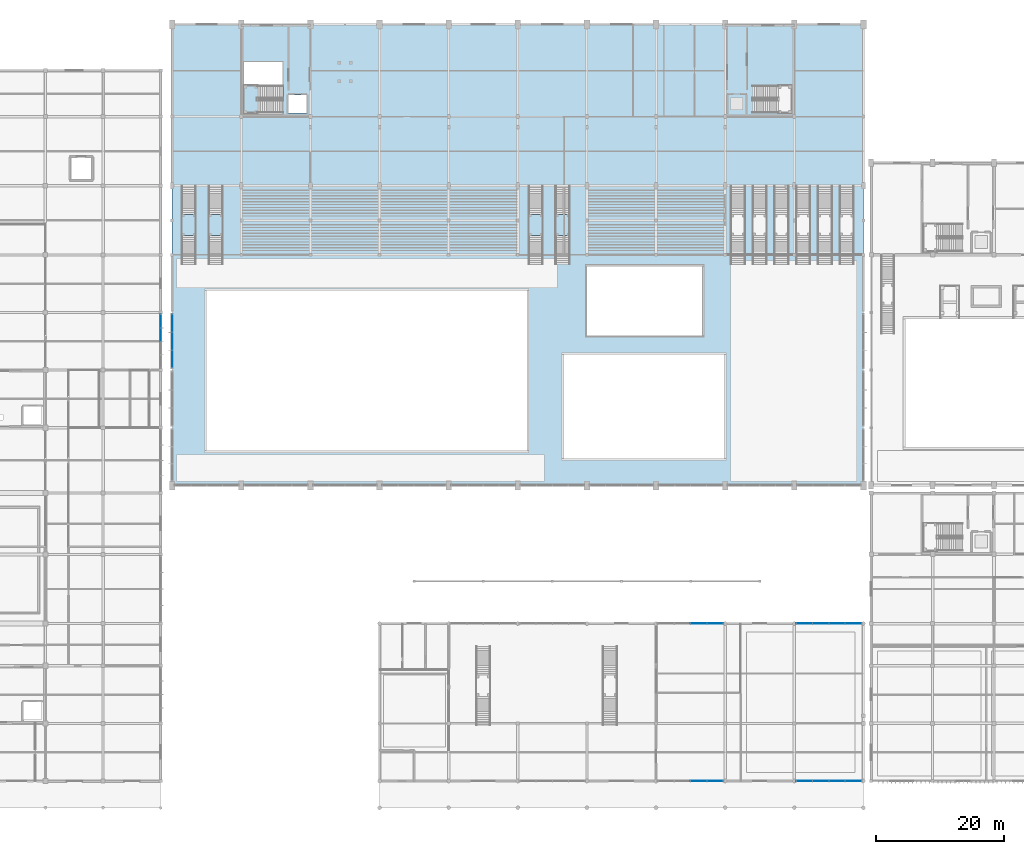
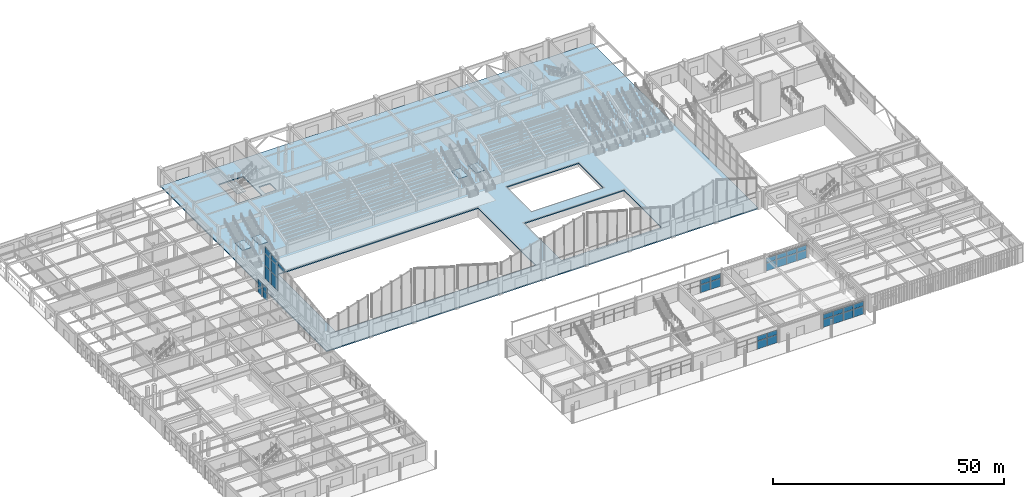
# One storey, part 43 of 82: 35 plates, 6 slabs, 11 elements without a shape of their own.
"""IFC4 building model written with IfcOpenShell, lengths in metres."""

from ifc_helpers import new_model, si_unit, direction, frame, origin, place, context, subcontext, project, spatial, polyline, outline, extrude, material, layer, layer_set, type_object, element, aggregate, save


model = new_model("IFC4")

# Units and contexts
model_context = context("Model", 3, precision=1e-05, world=origin(), true_north=direction((0.0, 1.0)))
body_context = subcontext(model_context, "Body", "Model", "MODEL_VIEW")
ifc_project = project(units=[si_unit("LENGTHUNIT", "METRE"), si_unit("AREAUNIT", "SQUARE_METRE"), si_unit("VOLUMEUNIT", "CUBIC_METRE"), si_unit("PLANEANGLEUNIT", "RADIAN"), si_unit("MASSUNIT", "GRAM", prefix="KILO")], contexts=[model_context])

# Site, building, storey
site_placement = place(None, origin())
site = spatial("IfcSite", under=ifc_project, at=site_placement, CompositionType="ELEMENT")
building_placement = place(site_placement, origin())
building = spatial("IfcBuilding", under=site, at=building_placement, Name="Suirenkawa Promenade Aquatics Centre", CompositionType="ELEMENT")
storey_placement = place(building_placement, origin())
storey = spatial("IfcBuildingStorey", under=building, at=storey_placement, Name="L00", CompositionType="ELEMENT", Elevation=0.0)

# Curtain wall, plates
ifc_material_1 = material(Name="Anodised aluminium 6063-T6", Category="aluminium")
curtain_wall_type_1 = type_object("IfcCurtainWallType", Name="CWAT-V3SL0-27", PredefinedType="NOTDEFINED", material=ifc_material_1)
curtain_wall_1_placement = place(storey_placement, origin())
curtain_wall_1 = element("IfcCurtainWall", 1, at=curtain_wall_1_placement, inside=storey, type_object=curtain_wall_type_1, Name="Curtain wall CWA-27 CW-067", PredefinedType="NOTDEFINED")
ifc_material_2 = material(Name="Low-E thermally broken double glazing", Category="glass")
ifc_layer_1 = layer(ifc_material_2, 0.0419921875, Name="Low-E thermally broken double glazing", Category="glass")
ifc_layer_set_1 = layer_set([ifc_layer_1], Name="Low-E thermally broken double glazing")
plate_type_1 = type_object("IfcPlateType", Name="CWP-FOYER-42", PredefinedType="CURTAIN_PANEL", material=ifc_layer_set_1)
plate_1_placement = place(storey_placement, frame((132.90087890625, 4.199951171875, 0.0400390625), z_axis=(0.0, 0.0, 1.0), x_axis=(-1.0, 0.0, 0.0)))
plate_1 = element("IfcPlate", 2, at=plate_1_placement, type_object=plate_type_1, Name="Glazed panel CP-04 CWP-01357", PredefinedType="CURTAIN_PANEL", context=body_context, shape_type="SweptSolid", body=[
    extrude(outline(polyline([(0.0400390625, 0.0), (2.510498046875, 0.0), (2.510498046875, 2.119873046875), (0.0400390625, 2.119873046875), (0.0400390625, 0.0)])), frame((0.0, 0.02099609375, 0.0), z_axis=(0.0, -1.0, 0.0), x_axis=(1.0, 0.0, 0.0)), (0.0, 0.0, 1.0), 0.0419921875),
])
plate_2_placement = place(storey_placement, frame((132.90087890625, 4.199951171875, 2.239990234375), z_axis=(0.0, 0.0, 1.0), x_axis=(-1.0, 0.0, 0.0)))
plate_2 = element("IfcPlate", 3, at=plate_2_placement, type_object=plate_type_1, Name="Top glazed panel CP-04 CWP-01358", PredefinedType="CURTAIN_PANEL", context=body_context, shape_type="SweptSolid", body=[
    extrude(outline(polyline([(0.0400390625, 0.0), (2.510498046875, 0.0), (2.510498046875, 1.239990234375), (0.0400390625, 1.239990234375), (0.0400390625, 0.0)])), frame((0.0, 0.02099609375, 0.0), z_axis=(0.0, -1.0, 0.0), x_axis=(1.0, 0.0, 0.0)), (0.0, 0.0, 1.0), 0.0419921875),
])
plate_3_placement = place(storey_placement, frame((130.3505859375, 4.199951171875, 0.0400390625), z_axis=(0.0, 0.0, 1.0), x_axis=(-1.0, 0.0, 0.0)))
plate_3 = element("IfcPlate", 4, at=plate_3_placement, type_object=plate_type_1, Name="Glazed panel CP-04 CWP-01359", PredefinedType="CURTAIN_PANEL", context=body_context, shape_type="SweptSolid", body=[
    extrude(outline(polyline([(0.0400390625, 0.0), (2.510498046875, 0.0), (2.510498046875, 2.119873046875), (0.0400390625, 2.119873046875), (0.0400390625, 0.0)])), frame((0.0, 0.02099609375, 0.0), z_axis=(0.0, -1.0, 0.0), x_axis=(1.0, 0.0, 0.0)), (0.0, 0.0, 1.0), 0.0419921875),
])
plate_4_placement = place(storey_placement, frame((130.3505859375, 4.199951171875, 2.239990234375), z_axis=(0.0, 0.0, 1.0), x_axis=(-1.0, 0.0, 0.0)))
plate_4 = element("IfcPlate", 5, at=plate_4_placement, type_object=plate_type_1, Name="Top glazed panel CP-04 CWP-01360", PredefinedType="CURTAIN_PANEL", context=body_context, shape_type="SweptSolid", body=[
    extrude(outline(polyline([(0.0400390625, 0.0), (2.510498046875, 0.0), (2.510498046875, 1.239990234375), (0.0400390625, 1.239990234375), (0.0400390625, 0.0)])), frame((0.0, 0.02099609375, 0.0), z_axis=(0.0, -1.0, 0.0), x_axis=(1.0, 0.0, 0.0)), (0.0, 0.0, 1.0), 0.0419921875),
])
aggregate(curtain_wall_1, [plate_1, plate_2, plate_3, plate_4])

curtain_wall_type_2 = type_object("IfcCurtainWallType", Name="CWAT-V3NL0-26", PredefinedType="NOTDEFINED", material=ifc_material_1)
curtain_wall_2_placement = place(storey_placement, origin())
curtain_wall_2 = element("IfcCurtainWall", 6, at=curtain_wall_2_placement, inside=storey, type_object=curtain_wall_type_2, Name="Curtain wall CWA-26 CW-068", PredefinedType="NOTDEFINED")
plate_5_placement = place(storey_placement, frame((127.800048828125, 28.800048828125, 0.0400390625), z_axis=(0.0, 0.0, 1.0), x_axis=(1.0, 0.0, 0.0)))
plate_5 = element("IfcPlate", 7, at=plate_5_placement, type_object=plate_type_1, Name="Glazed panel CP-04 CWP-01383", PredefinedType="CURTAIN_PANEL", context=body_context, shape_type="SweptSolid", body=[
    extrude(outline(polyline([(0.0400390625, 0.0), (2.510498046875, 0.0), (2.510498046875, 2.119873046875), (0.0400390625, 2.119873046875), (0.0400390625, 0.0)])), frame((0.0, 0.02099609375, 0.0), z_axis=(0.0, -1.0, 0.0), x_axis=(1.0, 0.0, 0.0)), (0.0, 0.0, 1.0), 0.0419921875),
])
plate_6_placement = place(storey_placement, frame((127.800048828125, 28.800048828125, 2.239990234375), z_axis=(0.0, 0.0, 1.0), x_axis=(1.0, 0.0, 0.0)))
plate_6 = element("IfcPlate", 8, at=plate_6_placement, type_object=plate_type_1, Name="Top glazed panel CP-04 CWP-01384", PredefinedType="CURTAIN_PANEL", context=body_context, shape_type="SweptSolid", body=[
    extrude(outline(polyline([(0.0400390625, 0.0), (2.510498046875, 0.0), (2.510498046875, 1.239990234375), (0.0400390625, 1.239990234375), (0.0400390625, 0.0)])), frame((0.0, 0.02099609375, 0.0), z_axis=(0.0, -1.0, 0.0), x_axis=(1.0, 0.0, 0.0)), (0.0, 0.0, 1.0), 0.0419921875),
])
plate_7_placement = place(storey_placement, frame((130.3505859375, 28.800048828125, 0.0400390625), z_axis=(0.0, 0.0, 1.0), x_axis=(1.0, 0.0, 0.0)))
plate_7 = element("IfcPlate", 9, at=plate_7_placement, type_object=plate_type_1, Name="Glazed panel CP-04 CWP-01385", PredefinedType="CURTAIN_PANEL", context=body_context, shape_type="SweptSolid", body=[
    extrude(outline(polyline([(0.0400390625, 0.0), (2.510498046875, 0.0), (2.510498046875, 2.119873046875), (0.0400390625, 2.119873046875), (0.0400390625, 0.0)])), frame((0.0, 0.02099609375, 0.0), z_axis=(0.0, -1.0, 0.0), x_axis=(1.0, 0.0, 0.0)), (0.0, 0.0, 1.0), 0.0419921875),
])
plate_8_placement = place(storey_placement, frame((130.3505859375, 28.800048828125, 2.239990234375), z_axis=(0.0, 0.0, 1.0), x_axis=(1.0, 0.0, 0.0)))
plate_8 = element("IfcPlate", 10, at=plate_8_placement, type_object=plate_type_1, Name="Top glazed panel CP-04 CWP-01386", PredefinedType="CURTAIN_PANEL", context=body_context, shape_type="SweptSolid", body=[
    extrude(outline(polyline([(0.0400390625, 0.0), (2.510498046875, 0.0), (2.510498046875, 1.239990234375), (0.0400390625, 1.239990234375), (0.0400390625, 0.0)])), frame((0.0, 0.02099609375, 0.0), z_axis=(0.0, -1.0, 0.0), x_axis=(1.0, 0.0, 0.0)), (0.0, 0.0, 1.0), 0.0419921875),
])
aggregate(curtain_wall_2, [plate_5, plate_6, plate_7, plate_8])

curtain_wall_3_placement = place(storey_placement, origin())
curtain_wall_3 = element("IfcCurtainWall", 11, at=curtain_wall_3_placement, inside=storey, type_object=curtain_wall_type_1, Name="Curtain wall CWA-27 CW-069", PredefinedType="NOTDEFINED")
plate_9_placement = place(storey_placement, frame((154.5009765625, 4.199951171875, 0.0400390625), z_axis=(0.0, 0.0, 1.0), x_axis=(-1.0, 0.0, 0.0)))
plate_9 = element("IfcPlate", 12, at=plate_9_placement, type_object=plate_type_1, Name="Glazed panel CP-04 CWP-01401", PredefinedType="CURTAIN_PANEL", context=body_context, shape_type="SweptSolid", body=[
    extrude(outline(polyline([(0.0400390625, 0.0), (2.510498046875, 0.0), (2.510498046875, 2.119873046875), (0.0400390625, 2.119873046875), (0.0400390625, 0.0)])), frame((0.0, 0.02099609375, 0.0), z_axis=(0.0, -1.0, 0.0), x_axis=(1.0, 0.0, 0.0)), (0.0, 0.0, 1.0), 0.0419921875),
])
plate_10_placement = place(storey_placement, frame((154.5009765625, 4.199951171875, 2.239990234375), z_axis=(0.0, 0.0, 1.0), x_axis=(-1.0, 0.0, 0.0)))
plate_10 = element("IfcPlate", 13, at=plate_10_placement, type_object=plate_type_1, Name="Top glazed panel CP-04 CWP-01402", PredefinedType="CURTAIN_PANEL", context=body_context, shape_type="SweptSolid", body=[
    extrude(outline(polyline([(0.0400390625, 0.0), (2.510498046875, 0.0), (2.510498046875, 1.239990234375), (0.0400390625, 1.239990234375), (0.0400390625, 0.0)])), frame((0.0, 0.02099609375, 0.0), z_axis=(0.0, -1.0, 0.0), x_axis=(1.0, 0.0, 0.0)), (0.0, 0.0, 1.0), 0.0419921875),
])
plate_11_placement = place(storey_placement, frame((151.950439453125, 4.199951171875, 0.0400390625), z_axis=(0.0, 0.0, 1.0), x_axis=(-1.0, 0.0, 0.0)))
plate_11 = element("IfcPlate", 14, at=plate_11_placement, type_object=plate_type_1, Name="Glazed panel CP-04 CWP-01403", PredefinedType="CURTAIN_PANEL", context=body_context, shape_type="SweptSolid", body=[
    extrude(outline(polyline([(0.0400390625, 0.0), (2.510498046875, 0.0), (2.510498046875, 2.119873046875), (0.0400390625, 2.119873046875), (0.0400390625, 0.0)])), frame((0.0, 0.02099609375, 0.0), z_axis=(0.0, -1.0, 0.0), x_axis=(1.0, 0.0, 0.0)), (0.0, 0.0, 1.0), 0.0419921875),
])
plate_12_placement = place(storey_placement, frame((151.950439453125, 4.199951171875, 2.239990234375), z_axis=(0.0, 0.0, 1.0), x_axis=(-1.0, 0.0, 0.0)))
plate_12 = element("IfcPlate", 15, at=plate_12_placement, type_object=plate_type_1, Name="Top glazed panel CP-04 CWP-01404", PredefinedType="CURTAIN_PANEL", context=body_context, shape_type="SweptSolid", body=[
    extrude(outline(polyline([(0.0400390625, 0.0), (2.510498046875, 0.0), (2.510498046875, 1.239990234375), (0.0400390625, 1.239990234375), (0.0400390625, 0.0)])), frame((0.0, 0.02099609375, 0.0), z_axis=(0.0, -1.0, 0.0), x_axis=(1.0, 0.0, 0.0)), (0.0, 0.0, 1.0), 0.0419921875),
])
plate_13_placement = place(storey_placement, frame((149.39990234375, 4.199951171875, 0.0400390625), z_axis=(0.0, 0.0, 1.0), x_axis=(-1.0, 0.0, 0.0)))
plate_13 = element("IfcPlate", 16, at=plate_13_placement, type_object=plate_type_1, Name="Glazed panel CP-04 CWP-01405", PredefinedType="CURTAIN_PANEL", context=body_context, shape_type="SweptSolid", body=[
    extrude(outline(polyline([(0.0400390625, 0.0), (2.510498046875, 0.0), (2.510498046875, 2.119873046875), (0.0400390625, 2.119873046875), (0.0400390625, 0.0)])), frame((0.0, 0.02099609375, 0.0), z_axis=(0.0, -1.0, 0.0), x_axis=(1.0, 0.0, 0.0)), (0.0, 0.0, 1.0), 0.0419921875),
])
plate_14_placement = place(storey_placement, frame((149.39990234375, 4.199951171875, 2.239990234375), z_axis=(0.0, 0.0, 1.0), x_axis=(-1.0, 0.0, 0.0)))
plate_14 = element("IfcPlate", 17, at=plate_14_placement, type_object=plate_type_1, Name="Top glazed panel CP-04 CWP-01406", PredefinedType="CURTAIN_PANEL", context=body_context, shape_type="SweptSolid", body=[
    extrude(outline(polyline([(0.0400390625, 0.0), (2.510498046875, 0.0), (2.510498046875, 1.239990234375), (0.0400390625, 1.239990234375), (0.0400390625, 0.0)])), frame((0.0, 0.02099609375, 0.0), z_axis=(0.0, -1.0, 0.0), x_axis=(1.0, 0.0, 0.0)), (0.0, 0.0, 1.0), 0.0419921875),
])
plate_15_placement = place(storey_placement, frame((146.849609375, 4.199951171875, 0.0400390625), z_axis=(0.0, 0.0, 1.0), x_axis=(-1.0, 0.0, 0.0)))
plate_15 = element("IfcPlate", 18, at=plate_15_placement, type_object=plate_type_1, Name="Glazed panel CP-04 CWP-01407", PredefinedType="CURTAIN_PANEL", context=body_context, shape_type="SweptSolid", body=[
    extrude(outline(polyline([(0.0400390625, 0.0), (2.510498046875, 0.0), (2.510498046875, 2.119873046875), (0.0400390625, 2.119873046875), (0.0400390625, 0.0)])), frame((0.0, 0.02099609375, 0.0), z_axis=(0.0, -1.0, 0.0), x_axis=(1.0, 0.0, 0.0)), (0.0, 0.0, 1.0), 0.0419921875),
])
plate_16_placement = place(storey_placement, frame((146.849609375, 4.199951171875, 2.239990234375), z_axis=(0.0, 0.0, 1.0), x_axis=(-1.0, 0.0, 0.0)))
plate_16 = element("IfcPlate", 19, at=plate_16_placement, type_object=plate_type_1, Name="Top glazed panel CP-04 CWP-01408", PredefinedType="CURTAIN_PANEL", context=body_context, shape_type="SweptSolid", body=[
    extrude(outline(polyline([(0.0400390625, 0.0), (2.510498046875, 0.0), (2.510498046875, 1.239990234375), (0.0400390625, 1.239990234375), (0.0400390625, 0.0)])), frame((0.0, 0.02099609375, 0.0), z_axis=(0.0, -1.0, 0.0), x_axis=(1.0, 0.0, 0.0)), (0.0, 0.0, 1.0), 0.0419921875),
])
aggregate(curtain_wall_3, [plate_9, plate_10, plate_11, plate_12, plate_13, plate_14, plate_15, plate_16])

curtain_wall_4_placement = place(storey_placement, origin())
curtain_wall_4 = element("IfcCurtainWall", 20, at=curtain_wall_4_placement, inside=storey, type_object=curtain_wall_type_2, Name="Curtain wall CWA-26 CW-070", PredefinedType="NOTDEFINED")
plate_17_placement = place(storey_placement, frame((144.299072265625, 28.800048828125, 0.0400390625), z_axis=(0.0, 0.0, 1.0), x_axis=(1.0, 0.0, 0.0)))
plate_17 = element("IfcPlate", 21, at=plate_17_placement, type_object=plate_type_1, Name="Glazed panel CP-04 CWP-01423", PredefinedType="CURTAIN_PANEL", context=body_context, shape_type="SweptSolid", body=[
    extrude(outline(polyline([(0.0400390625, 0.0), (2.510498046875, 0.0), (2.510498046875, 2.119873046875), (0.0400390625, 2.119873046875), (0.0400390625, 0.0)])), frame((0.0, 0.02099609375, 0.0), z_axis=(0.0, -1.0, 0.0), x_axis=(1.0, 0.0, 0.0)), (0.0, 0.0, 1.0), 0.0419921875),
])
plate_18_placement = place(storey_placement, frame((144.299072265625, 28.800048828125, 2.239990234375), z_axis=(0.0, 0.0, 1.0), x_axis=(1.0, 0.0, 0.0)))
plate_18 = element("IfcPlate", 22, at=plate_18_placement, type_object=plate_type_1, Name="Top glazed panel CP-04 CWP-01424", PredefinedType="CURTAIN_PANEL", context=body_context, shape_type="SweptSolid", body=[
    extrude(outline(polyline([(0.0400390625, 0.0), (2.510498046875, 0.0), (2.510498046875, 1.239990234375), (0.0400390625, 1.239990234375), (0.0400390625, 0.0)])), frame((0.0, 0.02099609375, 0.0), z_axis=(0.0, -1.0, 0.0), x_axis=(1.0, 0.0, 0.0)), (0.0, 0.0, 1.0), 0.0419921875),
])
plate_19_placement = place(storey_placement, frame((146.849609375, 28.800048828125, 0.0400390625), z_axis=(0.0, 0.0, 1.0), x_axis=(1.0, 0.0, 0.0)))
plate_19 = element("IfcPlate", 23, at=plate_19_placement, type_object=plate_type_1, Name="Glazed panel CP-04 CWP-01425", PredefinedType="CURTAIN_PANEL", context=body_context, shape_type="SweptSolid", body=[
    extrude(outline(polyline([(0.0400390625, 0.0), (2.510498046875, 0.0), (2.510498046875, 2.119873046875), (0.0400390625, 2.119873046875), (0.0400390625, 0.0)])), frame((0.0, 0.02099609375, 0.0), z_axis=(0.0, -1.0, 0.0), x_axis=(1.0, 0.0, 0.0)), (0.0, 0.0, 1.0), 0.0419921875),
])
plate_20_placement = place(storey_placement, frame((146.849609375, 28.800048828125, 2.239990234375), z_axis=(0.0, 0.0, 1.0), x_axis=(1.0, 0.0, 0.0)))
plate_20 = element("IfcPlate", 24, at=plate_20_placement, type_object=plate_type_1, Name="Top glazed panel CP-04 CWP-01426", PredefinedType="CURTAIN_PANEL", context=body_context, shape_type="SweptSolid", body=[
    extrude(outline(polyline([(0.0400390625, 0.0), (2.510498046875, 0.0), (2.510498046875, 1.239990234375), (0.0400390625, 1.239990234375), (0.0400390625, 0.0)])), frame((0.0, 0.02099609375, 0.0), z_axis=(0.0, -1.0, 0.0), x_axis=(1.0, 0.0, 0.0)), (0.0, 0.0, 1.0), 0.0419921875),
])
plate_21_placement = place(storey_placement, frame((149.39990234375, 28.800048828125, 0.0400390625), z_axis=(0.0, 0.0, 1.0), x_axis=(1.0, 0.0, 0.0)))
plate_21 = element("IfcPlate", 25, at=plate_21_placement, type_object=plate_type_1, Name="Glazed panel CP-04 CWP-01427", PredefinedType="CURTAIN_PANEL", context=body_context, shape_type="SweptSolid", body=[
    extrude(outline(polyline([(0.0400390625, 0.0), (2.510498046875, 0.0), (2.510498046875, 2.119873046875), (0.0400390625, 2.119873046875), (0.0400390625, 0.0)])), frame((0.0, 0.02099609375, 0.0), z_axis=(0.0, -1.0, 0.0), x_axis=(1.0, 0.0, 0.0)), (0.0, 0.0, 1.0), 0.0419921875),
])
plate_22_placement = place(storey_placement, frame((149.39990234375, 28.800048828125, 2.239990234375), z_axis=(0.0, 0.0, 1.0), x_axis=(1.0, 0.0, 0.0)))
plate_22 = element("IfcPlate", 26, at=plate_22_placement, type_object=plate_type_1, Name="Top glazed panel CP-04 CWP-01428", PredefinedType="CURTAIN_PANEL", context=body_context, shape_type="SweptSolid", body=[
    extrude(outline(polyline([(0.0400390625, 0.0), (2.510498046875, 0.0), (2.510498046875, 1.239990234375), (0.0400390625, 1.239990234375), (0.0400390625, 0.0)])), frame((0.0, 0.02099609375, 0.0), z_axis=(0.0, -1.0, 0.0), x_axis=(1.0, 0.0, 0.0)), (0.0, 0.0, 1.0), 0.0419921875),
])
plate_23_placement = place(storey_placement, frame((151.950439453125, 28.800048828125, 0.0400390625), z_axis=(0.0, 0.0, 1.0), x_axis=(1.0, 0.0, 0.0)))
plate_23 = element("IfcPlate", 27, at=plate_23_placement, type_object=plate_type_1, Name="Glazed panel CP-04 CWP-01429", PredefinedType="CURTAIN_PANEL", context=body_context, shape_type="SweptSolid", body=[
    extrude(outline(polyline([(0.0400390625, 0.0), (2.510498046875, 0.0), (2.510498046875, 2.119873046875), (0.0400390625, 2.119873046875), (0.0400390625, 0.0)])), frame((0.0, 0.02099609375, 0.0), z_axis=(0.0, -1.0, 0.0), x_axis=(1.0, 0.0, 0.0)), (0.0, 0.0, 1.0), 0.0419921875),
])
plate_24_placement = place(storey_placement, frame((151.950439453125, 28.800048828125, 2.239990234375), z_axis=(0.0, 0.0, 1.0), x_axis=(1.0, 0.0, 0.0)))
plate_24 = element("IfcPlate", 28, at=plate_24_placement, type_object=plate_type_1, Name="Top glazed panel CP-04 CWP-01430", PredefinedType="CURTAIN_PANEL", context=body_context, shape_type="SweptSolid", body=[
    extrude(outline(polyline([(0.0400390625, 0.0), (2.510498046875, 0.0), (2.510498046875, 1.239990234375), (0.0400390625, 1.239990234375), (0.0400390625, 0.0)])), frame((0.0, 0.02099609375, 0.0), z_axis=(0.0, -1.0, 0.0), x_axis=(1.0, 0.0, 0.0)), (0.0, 0.0, 1.0), 0.0419921875),
])
aggregate(curtain_wall_4, [plate_17, plate_18, plate_19, plate_20, plate_21, plate_22, plate_23, plate_24])

curtain_wall_type_3 = type_object("IfcCurtainWallType", Name="CWAT-V5EL00-43", PredefinedType="NOTDEFINED", material=ifc_material_1)
curtain_wall_5_placement = place(storey_placement, origin())
curtain_wall_5 = element("IfcCurtainWall", 29, at=curtain_wall_5_placement, inside=storey, type_object=curtain_wall_type_3, Name="Curtain wall CWA-43 CW-094", PredefinedType="NOTDEFINED")
ifc_layer_2 = layer(ifc_material_2, 0.028076171875, Name="Low-E thermally broken double glazing", Category="glass")
ifc_layer_set_2 = layer_set([ifc_layer_2], Name="Low-E thermally broken double glazing")
plate_type_2 = type_object("IfcPlateType", Name="CWP-LOWE-28", PredefinedType="CURTAIN_PANEL", material=ifc_layer_set_2)
plate_25_placement = place(storey_placement, frame((45.0, 77.10107421875, 0.0400390625), z_axis=(0.0, 0.0, 1.0), x_axis=(0.0, -1.0, 0.0)))
plate_25 = element("IfcPlate", 30, at=plate_25_placement, type_object=plate_type_2, Name="Glazed panel CP-02 CWP-01876", PredefinedType="CURTAIN_PANEL", context=body_context, shape_type="SweptSolid", body=[
    extrude(outline(polyline([(0.0400390625, 0.0), (2.060546875, 0.0), (2.060546875, 1.869873046875), (0.0400390625, 1.869873046875), (0.0400390625, 0.0)])), frame((0.0, 0.01416015625, 0.0), z_axis=(0.0, -1.0, 0.0), x_axis=(1.0, 0.0, 0.0)), (0.0, 0.0, 1.0), 0.028076171875),
])
plate_26_placement = place(storey_placement, frame((45.0, 77.10107421875, 1.989990234375), z_axis=(0.0, 0.0, 1.0), x_axis=(0.0, -1.0, 0.0)))
plate_26 = element("IfcPlate", 31, at=plate_26_placement, type_object=plate_type_2, Name="Top glazed panel CP-02 CWP-01877", PredefinedType="CURTAIN_PANEL", context=body_context, shape_type="SweptSolid", body=[
    extrude(outline(polyline([(0.0400390625, 0.0), (2.060546875, 0.0), (2.060546875, 1.5400390625), (0.0400390625, 1.5400390625), (0.0400390625, 0.0)])), frame((0.0, 0.01416015625, 0.0), z_axis=(0.0, -1.0, 0.0), x_axis=(1.0, 0.0, 0.0)), (0.0, 0.0, 1.0), 0.028076171875),
])
plate_27_placement = place(storey_placement, frame((45.0, 75.00048828125, 0.0400390625), z_axis=(0.0, 0.0, 1.0), x_axis=(0.0, -1.0, 0.0)))
plate_27 = element("IfcPlate", 32, at=plate_27_placement, type_object=plate_type_2, Name="Glazed panel CP-02 CWP-01878", PredefinedType="CURTAIN_PANEL", context=body_context, shape_type="SweptSolid", body=[
    extrude(outline(polyline([(0.0400390625, 0.0), (2.060546875, 0.0), (2.060546875, 1.869873046875), (0.0400390625, 1.869873046875), (0.0400390625, 0.0)])), frame((0.0, 0.01416015625, 0.0), z_axis=(0.0, -1.0, 0.0), x_axis=(1.0, 0.0, 0.0)), (0.0, 0.0, 1.0), 0.028076171875),
])
plate_28_placement = place(storey_placement, frame((45.0, 75.00048828125, 1.989990234375), z_axis=(0.0, 0.0, 1.0), x_axis=(0.0, -1.0, 0.0)))
plate_28 = element("IfcPlate", 33, at=plate_28_placement, type_object=plate_type_2, Name="Top glazed panel CP-02 CWP-01879", PredefinedType="CURTAIN_PANEL", context=body_context, shape_type="SweptSolid", body=[
    extrude(outline(polyline([(0.0400390625, 0.0), (2.060546875, 0.0), (2.060546875, 1.5400390625), (0.0400390625, 1.5400390625), (0.0400390625, 0.0)])), frame((0.0, 0.01416015625, 0.0), z_axis=(0.0, -1.0, 0.0), x_axis=(1.0, 0.0, 0.0)), (0.0, 0.0, 1.0), 0.028076171875),
])
aggregate(curtain_wall_5, [plate_25, plate_26, plate_27, plate_28])

curtain_wall_type_4 = type_object("IfcCurtainWallType", Name="CWAT-GABLEV1-03", PredefinedType="NOTDEFINED", material=ifc_material_1)
curtain_wall_6_placement = place(storey_placement, origin())
curtain_wall_6 = element("IfcCurtainWall", 34, at=curtain_wall_6_placement, inside=storey, type_object=curtain_wall_type_4, Name="Curtain wall CWA-03 CW-003", PredefinedType="NOTDEFINED")
ifc_material_3 = material(Name="Ceramic-fritted low-SHGC double glazing", Category="glass")
ifc_layer_3 = layer(ifc_material_3, 0.035888671875, Name="Ceramic-fritted low-SHGC double glazing", Category="glass")
ifc_layer_set_3 = layer_set([ifc_layer_3], Name="Ceramic-fritted low-SHGC double glazing")
plate_type_3 = type_object("IfcPlateType", Name="CWP-SHOJI-36", PredefinedType="CURTAIN_PANEL", material=ifc_layer_set_3)
plate_29_placement = place(storey_placement, frame((46.800048828125, 68.698974609375, 9.639892578125), z_axis=(0.0, 0.0, 1.0), x_axis=(0.0, 1.0, 0.0)))
plate_29 = element("IfcPlate", 35, at=plate_29_placement, type_object=plate_type_3, Name="Top glazed panel CP-01 CWP-00051", PredefinedType="CURTAIN_PANEL", context=body_context, shape_type="SweptSolid", body=[
    extrude(outline(polyline([(0.0400390625, 0.0), (2.7607421875, 0.0), (2.7607421875, 1.089599609375), (0.0400390625, 0.728759765625), (0.0400390625, 0.0)])), frame((0.0, 0.01806640625, 0.0), z_axis=(0.0, -1.0, 0.0), x_axis=(1.0, 0.0, 0.0)), (0.0, 0.0, 1.0), 0.035888671875),
])
plate_30_placement = place(storey_placement, frame((46.800048828125, 71.499755859375, 2.989990234375), z_axis=(0.0, 0.0, 1.0), x_axis=(0.0, 1.0, 0.0)))
plate_30 = element("IfcPlate", 36, at=plate_30_placement, type_object=plate_type_3, Name="Glazed panel CP-01 CWP-00052", PredefinedType="CURTAIN_PANEL", context=body_context, shape_type="SweptSolid", body=[
    extrude(outline(polyline([(0.0400390625, 0.0), (2.7607421875, 0.0), (2.7607421875, 3.3701171875), (0.0400390625, 3.3701171875), (0.0400390625, 0.0)])), frame((0.0, 0.01806640625, 0.0), z_axis=(0.0, -1.0, 0.0), x_axis=(1.0, 0.0, 0.0)), (0.0, 0.0, 1.0), 0.035888671875),
])
plate_31_placement = place(storey_placement, frame((46.800048828125, 71.499755859375, 6.43994140625), z_axis=(0.0, 0.0, 1.0), x_axis=(0.0, 1.0, 0.0)))
plate_31 = element("IfcPlate", 37, at=plate_31_placement, type_object=plate_type_3, Name="Glazed panel CP-01 CWP-00053", PredefinedType="CURTAIN_PANEL", context=body_context, shape_type="SweptSolid", body=[
    extrude(outline(polyline([(0.0400390625, 0.0), (2.7607421875, 0.0), (2.7607421875, 3.1201171875), (0.0400390625, 3.1201171875), (0.0400390625, 0.0)])), frame((0.0, 0.01806640625, 0.0), z_axis=(0.0, -1.0, 0.0), x_axis=(1.0, 0.0, 0.0)), (0.0, 0.0, 1.0), 0.035888671875),
])
plate_32_placement = place(storey_placement, frame((46.800048828125, 71.499755859375, 9.639892578125), z_axis=(0.0, 0.0, 1.0), x_axis=(0.0, 1.0, 0.0)))
plate_32 = element("IfcPlate", 38, at=plate_32_placement, type_object=plate_type_3, Name="Top glazed panel CP-01 CWP-00054", PredefinedType="CURTAIN_PANEL", context=body_context, shape_type="SweptSolid", body=[
    extrude(outline(polyline([(0.0400390625, 0.0), (2.7607421875, 0.0), (2.7607421875, 1.45068359375), (0.0400390625, 1.089599609375), (0.0400390625, 0.0)])), frame((0.0, 0.01806640625, 0.0), z_axis=(0.0, -1.0, 0.0), x_axis=(1.0, 0.0, 0.0)), (0.0, 0.0, 1.0), 0.035888671875),
])
plate_33_placement = place(storey_placement, frame((46.800048828125, 74.30029296875, 2.989990234375), z_axis=(0.0, 0.0, 1.0), x_axis=(0.0, 1.0, 0.0)))
plate_33 = element("IfcPlate", 39, at=plate_33_placement, type_object=plate_type_3, Name="Glazed panel CP-01 CWP-00055", PredefinedType="CURTAIN_PANEL", context=body_context, shape_type="SweptSolid", body=[
    extrude(outline(polyline([(0.0400390625, 0.0), (2.7607421875, 0.0), (2.7607421875, 3.3701171875), (0.0400390625, 3.3701171875), (0.0400390625, 0.0)])), frame((0.0, 0.01806640625, 0.0), z_axis=(0.0, -1.0, 0.0), x_axis=(1.0, 0.0, 0.0)), (0.0, 0.0, 1.0), 0.035888671875),
])
plate_34_placement = place(storey_placement, frame((46.800048828125, 74.30029296875, 6.43994140625), z_axis=(0.0, 0.0, 1.0), x_axis=(0.0, 1.0, 0.0)))
plate_34 = element("IfcPlate", 40, at=plate_34_placement, type_object=plate_type_3, Name="Glazed panel CP-01 CWP-00056", PredefinedType="CURTAIN_PANEL", context=body_context, shape_type="SweptSolid", body=[
    extrude(outline(polyline([(0.0400390625, 0.0), (2.7607421875, 0.0), (2.7607421875, 3.1201171875), (0.0400390625, 3.1201171875), (0.0400390625, 0.0)])), frame((0.0, 0.01806640625, 0.0), z_axis=(0.0, -1.0, 0.0), x_axis=(1.0, 0.0, 0.0)), (0.0, 0.0, 1.0), 0.035888671875),
])
plate_35_placement = place(storey_placement, frame((46.800048828125, 74.30029296875, 9.639892578125), z_axis=(0.0, 0.0, 1.0), x_axis=(0.0, 1.0, 0.0)))
plate_35 = element("IfcPlate", 41, at=plate_35_placement, type_object=plate_type_3, Name="Top glazed panel CP-01 CWP-00057", PredefinedType="CURTAIN_PANEL", context=body_context, shape_type="SweptSolid", body=[
    extrude(outline(polyline([(0.0400390625, 0.0), (2.7607421875, 0.0), (2.7607421875, 1.8115234375), (0.0400390625, 1.45068359375), (0.0400390625, 0.0)])), frame((0.0, 0.01806640625, 0.0), z_axis=(0.0, -1.0, 0.0), x_axis=(1.0, 0.0, 0.0)), (0.0, 0.0, 1.0), 0.035888671875),
])
aggregate(curtain_wall_6, [plate_29, plate_30, plate_31, plate_32, plate_33, plate_34, plate_35])

# Slab
ifc_material_4 = material(Name="Concrete M40", Category="concrete")
ifc_layer_4 = layer(ifc_material_4, 0.300048828125, Name="Concrete M40", Category="concrete")
ifc_layer_set_4 = layer_set([ifc_layer_4], Name="Concrete M40")
slab_type_1 = type_object("IfcSlabType", Name="SLT-DECK-300", PredefinedType="FLOOR", material=ifc_layer_set_4)
slab_1_placement = place(storey_placement, frame((0.0, 0.0, -0.300048828125)))
element("IfcSlab", 42, at=slab_1_placement, inside=storey, type_object=slab_type_1, Name="V1 pool surround deck SL-FLR-02 SL-0012", PredefinedType="FLOOR", context=body_context, shape_type="SweptSolid", body=[
    extrude(outline(polyline([(46.800048828125, 50.39990234375), (154.800048828125, 50.39990234375), (154.800048828125, 122.39990234375), (46.800048828125, 122.39990234375), (46.800048828125, 50.39990234375)]), holes=[polyline([(52.199951171875, 55.800048828125), (102.219970703125, 55.800048828125), (102.219970703125, 80.800048828125), (52.199951171875, 80.800048828125), (52.199951171875, 55.800048828125)]), polyline([(108.0, 54.60009765625), (133.02001953125, 54.60009765625), (133.02001953125, 70.800048828125), (108.0, 70.800048828125), (108.0, 54.60009765625)]), polyline([(111.60009765625, 73.800048828125), (129.60009765625, 73.800048828125), (129.60009765625, 84.60009765625), (111.60009765625, 84.60009765625), (111.60009765625, 73.800048828125)]), polyline([(57.9599609375, 108.360107421875), (64.10009765625, 108.360107421875), (64.10009765625, 116.56005859375), (57.9599609375, 116.56005859375), (57.9599609375, 108.360107421875)]), polyline([(65.0, 108.60009765625), (67.800048828125, 108.60009765625), (67.800048828125, 111.39990234375), (65.0, 111.39990234375), (65.0, 108.60009765625)])]), origin(), (0.0, 0.0, 1.0), 0.300048828125),
])

# Stair, slab
stair_type_1 = type_object("IfcStairType", Name="STT-CORE-2100-480", PredefinedType="TWO_STRAIGHT_RUN_STAIR", material=ifc_material_4)
stair_1_placement = place(storey_placement, origin())
stair_1 = element("IfcStair", 43, at=stair_1_placement, inside=storey, type_object=stair_type_1, Name="Protected exit stair STR-01 ST-12", PredefinedType="TWO_STRAIGHT_RUN_STAIR")
ifc_layer_5 = layer(ifc_material_4, 0.169921875, Name="Concrete M40", Category="concrete")
ifc_layer_set_5 = layer_set([ifc_layer_5], Name="Concrete M40")
slab_type_2 = type_object("IfcSlabType", Name="SLT-LANDING-170", PredefinedType="LANDING", material=ifc_layer_set_5)
slab_2_placement = place(storey_placement, frame((0.0, 0.0, 2.219970703125)))
slab_2 = element("IfcSlab", 44, at=slab_2_placement, type_object=slab_type_2, Name="Stair landing SL-LND-01 SL-8012", PredefinedType="LANDING", context=body_context, shape_type="SweptSolid", body=[
    extrude(outline(polyline([(57.9599609375, 108.52001953125), (60.14990234375, 108.52001953125), (60.14990234375, 112.909912109375), (57.9599609375, 112.909912109375), (57.9599609375, 108.52001953125)])), origin(), (0.0, 0.0, 1.0), 0.179931640625),
])
aggregate(stair_1, [slab_2])

stair_type_2 = type_object("IfcStairType", Name="STT-CASCADE-3200", PredefinedType="STRAIGHT_RUN_STAIR", material=ifc_material_4)
stair_2_placement = place(storey_placement, origin())
stair_2 = element("IfcStair", 45, at=stair_2_placement, inside=storey, type_object=stair_type_2, Name="Grand assembly cascade stair STR-04 ST-22", PredefinedType="STRAIGHT_RUN_STAIR")
slab_3_placement = place(storey_placement, frame((0.0, 0.0, 2.219970703125)))
slab_3 = element("IfcSlab", 46, at=slab_3_placement, type_object=slab_type_2, Name="Cascade landing SL-LND-01 SL-8022", PredefinedType="LANDING", context=body_context, shape_type="SweptSolid", body=[
    extrude(outline(polyline([(48.27490234375, 89.405029296875), (50.52490234375, 89.405029296875), (50.52490234375, 92.7451171875), (48.27490234375, 92.7451171875), (48.27490234375, 89.405029296875)])), origin(), (0.0, 0.0, 1.0), 0.179931640625),
])
aggregate(stair_2, [slab_3])

stair_3_placement = place(storey_placement, origin())
stair_3 = element("IfcStair", 47, at=stair_3_placement, inside=storey, type_object=stair_type_2, Name="Grand assembly cascade stair STR-04 ST-23", PredefinedType="STRAIGHT_RUN_STAIR")
slab_4_placement = place(storey_placement, frame((0.0, 0.0, 2.219970703125)))
slab_4 = element("IfcSlab", 48, at=slab_4_placement, type_object=slab_type_2, Name="Cascade landing SL-LND-01 SL-8023", PredefinedType="LANDING", context=body_context, shape_type="SweptSolid", body=[
    extrude(outline(polyline([(52.47509765625, 89.405029296875), (54.72509765625, 89.405029296875), (54.72509765625, 92.7451171875), (52.47509765625, 92.7451171875), (52.47509765625, 89.405029296875)])), origin(), (0.0, 0.0, 1.0), 0.179931640625),
])
aggregate(stair_3, [slab_4])

stair_4_placement = place(storey_placement, origin())
stair_4 = element("IfcStair", 49, at=stair_4_placement, inside=storey, type_object=stair_type_2, Name="Grand assembly cascade stair STR-04 ST-24", PredefinedType="STRAIGHT_RUN_STAIR")
slab_5_placement = place(storey_placement, frame((0.0, 0.0, 2.219970703125)))
slab_5 = element("IfcSlab", 50, at=slab_5_placement, type_object=slab_type_2, Name="Cascade landing SL-LND-01 SL-8024", PredefinedType="LANDING", context=body_context, shape_type="SweptSolid", body=[
    extrude(outline(polyline([(102.47509765625, 89.405029296875), (104.72509765625, 89.405029296875), (104.72509765625, 92.7451171875), (102.47509765625, 92.7451171875), (102.47509765625, 89.405029296875)])), origin(), (0.0, 0.0, 1.0), 0.179931640625),
])
aggregate(stair_4, [slab_5])

stair_5_placement = place(storey_placement, origin())
stair_5 = element("IfcStair", 51, at=stair_5_placement, inside=storey, type_object=stair_type_2, Name="Grand assembly cascade stair STR-04 ST-25", PredefinedType="STRAIGHT_RUN_STAIR")
slab_6_placement = place(storey_placement, frame((0.0, 0.0, 2.219970703125)))
slab_6 = element("IfcSlab", 52, at=slab_6_placement, type_object=slab_type_2, Name="Cascade landing SL-LND-01 SL-8025", PredefinedType="LANDING", context=body_context, shape_type="SweptSolid", body=[
    extrude(outline(polyline([(106.675048828125, 89.405029296875), (108.925048828125, 89.405029296875), (108.925048828125, 92.7451171875), (106.675048828125, 92.7451171875), (106.675048828125, 89.405029296875)])), origin(), (0.0, 0.0, 1.0), 0.179931640625),
])
aggregate(stair_5, [slab_6])

save(model, "model.ifc")
